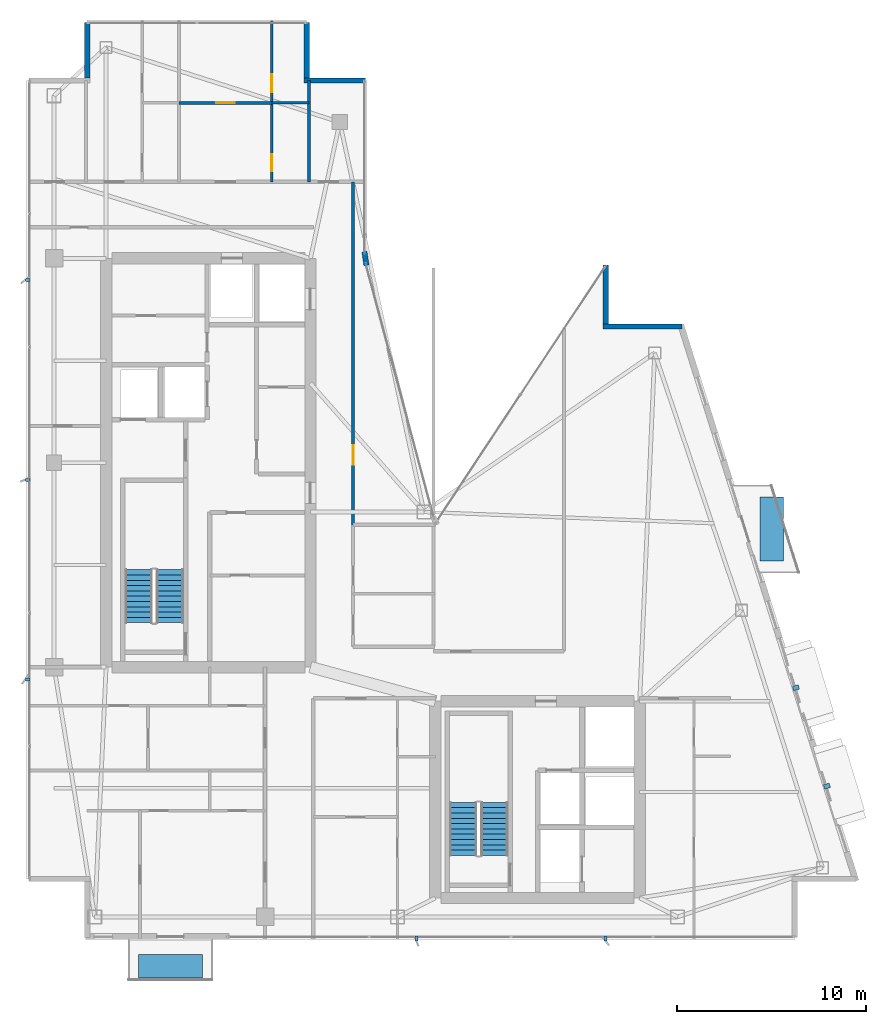
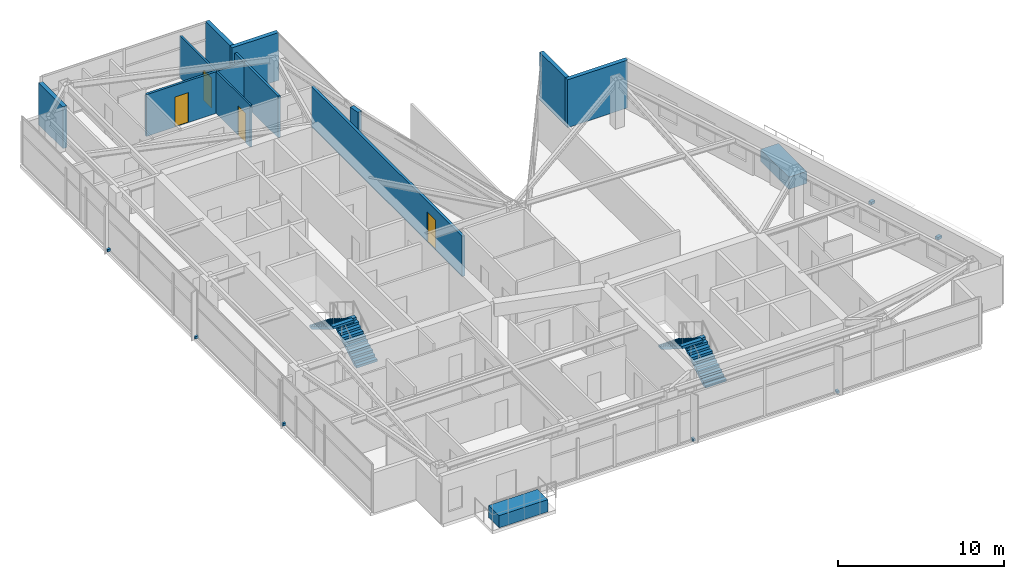
# One storey, part 25 of 27: 11 walls, 9 discrete accessories, 4 doors, 4 stair flights, 4 openings, 2 elements without a shape of their own.
"""IFC4 building model written with IfcOpenShell, lengths in metres."""

from ifc_helpers import new_model, si_unit, direction, frame, frame_2d, origin, origin_2d, place, context, subcontext, project, spatial, polyline, rectangle, outline, extrude, material, layer, layer_set, type_object, element, fill, aggregate, save


model = new_model("IFC4")

# Units and contexts
model_context = context("Model", 3, precision=1e-05, world=origin(), true_north=direction((0.0, 1.0)))
body_context = subcontext(model_context, "Body", "Model", "MODEL_VIEW")
ifc_project = project(units=[si_unit("LENGTHUNIT", "METRE"), si_unit("AREAUNIT", "SQUARE_METRE"), si_unit("VOLUMEUNIT", "CUBIC_METRE"), si_unit("PLANEANGLEUNIT", "RADIAN"), si_unit("MASSUNIT", "GRAM", prefix="KILO")], contexts=[model_context])

# Site, building, storey
site_placement = place(None, origin())
site = spatial("IfcSite", under=ifc_project, at=site_placement, CompositionType="ELEMENT")
building_placement = place(site_placement, origin())
building = spatial("IfcBuilding", under=site, at=building_placement, Name="Calvorn Quay Hotel", CompositionType="ELEMENT")
storey_placement = place(building_placement, frame((0.0, 0.0, 278.699951171875)))
storey = spatial("IfcBuildingStorey", under=building, at=storey_placement, Name="L69", CompositionType="ELEMENT", Elevation=278.699951171875)

# Wall, opening, door
ifc_material_1 = material(Name="Acoustic Fireboard Steel-Stud Partition", Category="steel")
ifc_layer_1 = layer(ifc_material_1, 0.179931640625)
ifc_layer_set_1 = layer_set([ifc_layer_1], Name="WL-CORR-FIRE-180")
wall_type_1 = type_object("IfcWallType", Name="WL-CORR-FIRE-180", PredefinedType="PARTITIONING", material=ifc_layer_set_1)
wall_1_placement = place(storey_placement, frame((17.25, 24.300048828125, 0.0), z_axis=(0.0, 0.0, 1.0), x_axis=(0.0, 1.0, 0.0)))
wall_1 = element("IfcWall", 1, at=wall_1_placement, inside=storey, type_object=wall_type_1, Name="Partition Wall L69-WL-NW-CLOSURE-E", PredefinedType="PARTITIONING", context=body_context, shape_type="SweptSolid", body=[
    extrude(rectangle(XDim=18.14990234375, YDim=0.179931640625, at=frame_2d((9.074951171875, 0.0))), origin(), (0.0, 0.0, 1.0), 2.969970703125),
])
opening_1_placement = place(wall_1_placement, frame((3.199951171875, 0.0, 0.0)))
opening_1 = element("IfcOpeningElement", 2, at=opening_1_placement, cuts=wall_1, Name="Opening D-L69-NCU", PredefinedType="OPENING", context=body_context, shape_type="SweptSolid", body=[
    extrude(rectangle(XDim=1.02001953125, YDim=2.199951171875, at=frame_2d((0.510009765625, 1.10009765625))), frame((0.0, 0.099853515625, 0.0), z_axis=(0.0, -1.0, 0.0), x_axis=(1.0, 0.0, 0.0)), (0.0, 0.0, 1.0), 0.199951171875),
])
ifc_material_2 = material(Name="Solid-Core Walnut Veneer Hotel Fire Door")
door_type_1 = type_object("IfcDoorType", Name="DR-GUEST-ENTRY-1020", OperationType="NOTDEFINED", PredefinedType="DOOR", material=ifc_material_2)
door_1_placement = place(opening_1_placement, origin())
door_1 = element("IfcDoor", 3, at=door_1_placement, inside=storey, type_object=door_type_1, Name="Inner Court Horizon Study Door (L69)", OperationType="SINGLE_SWING_RIGHT", OverallHeight=2.199951171875, OverallWidth=1.02001953125, PredefinedType="DOOR", context=body_context, shape_type="SweptSolid", body=[
    extrude(rectangle(XDim=1.02001953125, YDim=2.199951171875, at=frame_2d((0.510009765625, 1.10009765625))), frame((0.0, 0.02490234375, 0.0), z_axis=(0.0, -1.0, 0.0), x_axis=(1.0, 0.0, 0.0)), (0.0, 0.0, 1.0), 0.050048828125),
])
fill(opening_1, door_1)

# Wall
ifc_material_3 = material(Name="Moisture-Resistant Tile-Backed Partition")
ifc_layer_2 = layer(ifc_material_3, 0.125)
ifc_layer_set_2 = layer_set([ifc_layer_2], Name="WL-ENSUITE-125")
wall_type_2 = type_object("IfcWallType", Name="WL-ENSUITE-125", PredefinedType="PARTITIONING", material=ifc_layer_set_2)
wall_2_placement = place(storey_placement, frame((12.9599609375, 46.6201171875, 0.0), z_axis=(0.0, 0.0, 1.0), x_axis=(1.0, 0.0, 0.0)))
element("IfcWall", 4, at=wall_2_placement, inside=storey, type_object=wall_type_2, Name="Partition Wall L69-WL-U05-BDV", PredefinedType="PARTITIONING", context=body_context, shape_type="SweptSolid", body=[
    extrude(rectangle(XDim=1.9599609375, YDim=0.125, at=frame_2d((0.97998046875, 0.0))), origin(), (0.0, 0.0, 1.0), 3.070068359375),
])

# Wall, openings, doors
wall_3_placement = place(storey_placement, frame((12.9599609375, 42.449951171875, 0.0), z_axis=(0.0, 0.0, 1.0), x_axis=(0.0, 1.0, 0.0)))
wall_3 = element("IfcWall", 5, at=wall_3_placement, inside=storey, type_object=wall_type_2, Name="Partition Wall L69-WL-U05-BV", PredefinedType="PARTITIONING", context=body_context, shape_type="SweptSolid", body=[
    extrude(rectangle(XDim=8.489990234375, YDim=0.125, at=frame_2d((4.2451171875, 0.0))), origin(), (0.0, 0.0, 1.0), 3.070068359375),
])
opening_2_placement = place(wall_3_placement, frame((0.550048828125, 0.0, 0.0)))
opening_2 = element("IfcOpeningElement", 6, at=opening_2_placement, cuts=wall_3, Name="Opening D-L69-E05", PredefinedType="OPENING", context=body_context, shape_type="SweptSolid", body=[
    extrude(rectangle(XDim=0.89990234375, YDim=2.14990234375, at=frame_2d((0.449951171875, 1.074951171875))), frame((0.0, 0.072509765625, 0.0), z_axis=(0.0, -1.0, 0.0), x_axis=(1.0, 0.0, 0.0)), (0.0, 0.0, 1.0), 0.14501953125),
])
opening_3_placement = place(wall_3_placement, frame((4.719970703125, 0.0, 0.0)))
opening_3 = element("IfcOpeningElement", 7, at=opening_3_placement, cuts=wall_3, Name="Opening D-L69-S05", PredefinedType="OPENING", context=body_context, shape_type="SweptSolid", body=[
    extrude(rectangle(XDim=0.9599609375, YDim=2.199951171875, at=frame_2d((0.47998046875, 1.10009765625))), frame((0.0, 0.072509765625, 0.0), z_axis=(0.0, -1.0, 0.0), x_axis=(1.0, 0.0, 0.0)), (0.0, 0.0, 1.0), 0.14501953125),
])
ifc_material_4 = material(Name="Moisture-Sealed Timber En-Suite Door", Category="wood")
door_type_2 = type_object("IfcDoorType", Name="DR-ENSUITE-900", OperationType="NOTDEFINED", PredefinedType="DOOR", material=ifc_material_4)
door_2_placement = place(opening_2_placement, origin())
door_2 = element("IfcDoor", 8, at=door_2_placement, inside=storey, type_object=door_type_2, Name="En-Suite Door 05", OperationType="SINGLE_SWING_LEFT", OverallHeight=2.14990234375, OverallWidth=0.89990234375, PredefinedType="DOOR", context=body_context, shape_type="SweptSolid", body=[
    extrude(rectangle(XDim=0.89990234375, YDim=2.14990234375, at=frame_2d((0.449951171875, 1.074951171875))), frame((0.0, 0.02490234375, 0.0), z_axis=(0.0, -1.0, 0.0), x_axis=(1.0, 0.0, 0.0)), (0.0, 0.0, 1.0), 0.050048828125),
])
fill(opening_2, door_2)
ifc_material_5 = material(Name="Solid Timber Internal Suite Door", Category="wood")
door_type_3 = type_object("IfcDoorType", Name="DR-SUITE-INT-960", OperationType="NOTDEFINED", PredefinedType="DOOR", material=ifc_material_5)
door_3_placement = place(opening_3_placement, origin())
door_3 = element("IfcDoor", 9, at=door_3_placement, inside=storey, type_object=door_type_3, Name="Harbour Tea Room Door 05", OperationType="SINGLE_SWING_RIGHT", OverallHeight=2.199951171875, OverallWidth=0.9599609375, PredefinedType="DOOR", context=body_context, shape_type="SweptSolid", body=[
    extrude(rectangle(XDim=0.9599609375, YDim=2.199951171875, at=frame_2d((0.47998046875, 1.10009765625))), frame((0.0, 0.02490234375, 0.0), z_axis=(0.0, -1.0, 0.0), x_axis=(1.0, 0.0, 0.0)), (0.0, 0.0, 1.0), 0.050048828125),
])
fill(opening_3, door_3)

# Walls
ifc_material_6 = material(Name="Concrete C40", Category="concrete")
ifc_layer_3 = layer(ifc_material_6, 0.320068359375)
ifc_layer_set_3 = layer_set([ifc_layer_3], Name="WL-EXT-SPANDREL-320")
wall_type_3 = type_object("IfcWallType", Name="WL-EXT-SPANDREL-320", PredefinedType="SOLIDWALL", material=ifc_layer_set_3)
wall_4_placement = place(storey_placement, frame((17.9619140625, 38.030029296875, 0.0), z_axis=(0.0, 0.0, 1.0), x_axis=(-0.15141125477, 0.988470855377, 0.0)))
element("IfcWall", 10, at=wall_4_placement, inside=storey, type_object=wall_type_3, Name="Inner Court Corner Pier L69-ICJ2", PredefinedType="SOLIDWALL", context=body_context, shape_type="SweptSolid", body=[
    extrude(rectangle(XDim=0.738525390625, YDim=0.280029296875, at=frame_2d((0.369140625, 0.0))), origin(), (0.0, 0.0, 1.0), 3.52001953125),
])
wall_5_placement = place(storey_placement, frame((34.639892578125, 34.800048828125, 0.0), z_axis=(0.0, 0.0, 1.0), x_axis=(-1.0, 0.0, 0.0)))
element("IfcWall", 11, at=wall_5_placement, inside=storey, type_object=wall_type_3, Name="Notched Corner Spandrel L69-NE1", PredefinedType="SOLIDWALL", context=body_context, shape_type="SweptSolid", body=[
    extrude(rectangle(XDim=4.179931640625, YDim=0.280029296875, at=frame_2d((2.08984375, 0.0))), origin(), (0.0, 0.0, 1.0), 3.52001953125),
])
wall_6_placement = place(storey_placement, frame((30.60009765625, 34.93994140625, 0.0), z_axis=(0.0, 0.0, 1.0), x_axis=(0.0, 1.0, 0.0)))
element("IfcWall", 12, at=wall_6_placement, inside=storey, type_object=wall_type_3, Name="Notched Corner Spandrel L69-NE2", PredefinedType="SOLIDWALL", context=body_context, shape_type="SweptSolid", body=[
    extrude(rectangle(XDim=3.10009765625, YDim=0.280029296875, at=frame_2d((1.550048828125, 0.0))), origin(), (0.0, 0.0, 1.0), 3.52001953125),
])
wall_7_placement = place(storey_placement, frame((17.89990234375, 47.800048828125, 0.0), z_axis=(0.0, 0.0, 1.0), x_axis=(-1.0, 0.0, 0.0)))
element("IfcWall", 13, at=wall_7_placement, inside=storey, type_object=wall_type_3, Name="Notched Corner Spandrel L69-NWE1", PredefinedType="SOLIDWALL", context=body_context, shape_type="SweptSolid", body=[
    extrude(rectangle(XDim=3.239990234375, YDim=0.280029296875, at=frame_2d((1.6201171875, 0.0))), origin(), (0.0, 0.0, 1.0), 3.52001953125),
])
wall_8_placement = place(storey_placement, frame((14.800048828125, 47.93994140625, 0.0), z_axis=(0.0, 0.0, 1.0), x_axis=(0.0, 1.0, 0.0)))
element("IfcWall", 14, at=wall_8_placement, inside=storey, type_object=wall_type_3, Name="Notched Corner Spandrel L69-NWE2", PredefinedType="SOLIDWALL", context=body_context, shape_type="SweptSolid", body=[
    extrude(rectangle(XDim=2.93994140625, YDim=0.280029296875, at=frame_2d((1.469970703125, 0.0))), origin(), (0.0, 0.0, 1.0), 3.52001953125),
])
wall_9_placement = place(storey_placement, frame((3.199951171875, 50.8798828125, 0.0), z_axis=(0.0, 0.0, 1.0), x_axis=(0.0, -1.0, 0.0)))
element("IfcWall", 15, at=wall_9_placement, inside=storey, type_object=wall_type_3, Name="Notched Corner Spandrel L69-NW1", PredefinedType="SOLIDWALL", context=body_context, shape_type="SweptSolid", body=[
    extrude(rectangle(XDim=2.93994140625, YDim=0.280029296875, at=frame_2d((1.469970703125, 0.0))), origin(), (0.0, 0.0, 1.0), 3.070068359375),
])
ifc_material_7 = material(Name="Double-Stud Acoustic Gypsum Partition")
ifc_layer_4 = layer(ifc_material_7, 0.159912109375)
ifc_layer_set_4 = layer_set([ifc_layer_4], Name="WL-INTERSUITE-160")
wall_type_4 = type_object("IfcWallType", Name="WL-INTERSUITE-160", PredefinedType="PARTITIONING", material=ifc_layer_set_4)
wall_10_placement = place(storey_placement, frame((14.919921875, 42.449951171875, 0.0), z_axis=(0.0, 0.0, 1.0), x_axis=(0.0, 1.0, 0.0)))
element("IfcWall", 16, at=wall_10_placement, inside=storey, type_object=wall_type_4, Name="Partition Wall L69-WL-NW-DIV-E0", PredefinedType="PARTITIONING", context=body_context, shape_type="SweptSolid", body=[
    extrude(rectangle(XDim=5.35009765625, YDim=0.159912109375, at=frame_2d((2.675048828125, 0.0))), origin(), (0.0, 0.0, 1.0), 3.070068359375),
])

# Wall, opening, door
wall_11_placement = place(storey_placement, frame((8.050048828125, 46.6201171875, 0.0), z_axis=(0.0, 0.0, 1.0), x_axis=(1.0, 0.0, 0.0)))
wall_11 = element("IfcWall", 17, at=wall_11_placement, inside=storey, type_object=wall_type_4, Name="Partition Wall L69-WL-U05-MSP", PredefinedType="PARTITIONING", context=body_context, shape_type="SweptSolid", body=[
    extrude(rectangle(XDim=4.909912109375, YDim=0.159912109375, at=frame_2d((2.455078125, 0.0))), origin(), (0.0, 0.0, 1.0), 3.070068359375),
])
opening_4_placement = place(wall_11_placement, frame((1.97998046875, 0.0, 0.0)))
opening_4 = element("IfcOpeningElement", 18, at=opening_4_placement, cuts=wall_11, Name="Opening D-L69-M05", PredefinedType="OPENING", context=body_context, shape_type="SweptSolid", body=[
    extrude(rectangle(XDim=0.9599609375, YDim=2.199951171875, at=frame_2d((0.47998046875, 1.10009765625))), frame((0.0, 0.08984375, 0.0), z_axis=(0.0, -1.0, 0.0), x_axis=(1.0, 0.0, 0.0)), (0.0, 0.0, 1.0), 0.179931640625),
])
door_4_placement = place(opening_4_placement, origin())
door_4 = element("IfcDoor", 19, at=door_4_placement, inside=storey, type_object=door_type_3, Name="Suite Bedroom Door 05", OperationType="SINGLE_SWING_LEFT", OverallHeight=2.199951171875, OverallWidth=0.9599609375, PredefinedType="DOOR", context=body_context, shape_type="SweptSolid", body=[
    extrude(rectangle(XDim=0.9599609375, YDim=2.199951171875, at=frame_2d((0.47998046875, 1.10009765625))), frame((0.0, 0.02490234375, 0.0), z_axis=(0.0, -1.0, 0.0), x_axis=(1.0, 0.0, 0.0)), (0.0, 0.0, 1.0), 0.050048828125),
])
fill(opening_4, door_4)

# Stair, stair flights
ifc_material_8 = material(Name="Concrete C40", Category="concrete")
stair_type = type_object("IfcStairType", Name="STR-CORE-DOGLEG", PredefinedType="HALF_TURN_STAIR", material=ifc_material_8)
stair_1_placement = place(storey_placement, origin())
stair_1 = element("IfcStair", 20, at=stair_1_placement, inside=storey, type_object=stair_type, Name="L69 ST-W", PredefinedType="HALF_TURN_STAIR")
ifc_material_9 = material(Name="Concrete C40", Category="concrete")
stair_flight_type = type_object("IfcStairFlightType", Name="FLT-CORE-1550", PredefinedType="STRAIGHT", material=ifc_material_9)
stair_flight_1_placement = place(storey_placement, frame((7.574951171875, 19.14990234375, 0.0), z_axis=(0.0, 0.0, 1.0), x_axis=(0.0, 1.0, 0.0)))
stair_flight_1 = element("IfcStairFlight", 21, at=stair_flight_1_placement, type_object=stair_flight_type, Name="ST-W flight 1", NumberOfRisers=11, NumberOfTreads=10, PredefinedType="STRAIGHT", RiserHeight=0.172727273, TreadLength=0.28, context=body_context, shape_type="SweptSolid", body=[
    extrude(outline(polyline([(0.0, 0.0), (0.0, 0.172607421875), (0.280029296875, 0.172607421875), (0.280029296875, 0.345458984375), (0.56005859375, 0.345458984375), (0.56005859375, 0.51806640625), (0.840087890625, 0.51806640625), (0.840087890625, 0.69091796875), (1.1201171875, 0.69091796875), (1.1201171875, 0.863525390625), (1.39990234375, 0.863525390625), (1.39990234375, 1.036376953125), (1.679931640625, 1.036376953125), (1.679931640625, 1.208984375), (1.9599609375, 1.208984375), (1.9599609375, 1.3818359375), (2.239990234375, 1.3818359375), (2.239990234375, 1.554443359375), (2.52001953125, 1.554443359375), (2.52001953125, 1.727294921875), (2.800048828125, 1.727294921875), (2.800048828125, 1.89990234375), (2.800048828125, 1.551025390625), (0.285400390625, 0.0), (0.0, 0.0)])), frame((0.0, 0.72509765625, 0.0), z_axis=(0.0, -1.0, 0.0), x_axis=(1.0, 0.0, 0.0)), (0.0, 0.0, 1.0), 1.449951171875),
])
stair_flight_2_placement = place(storey_placement, frame((5.925048828125, 21.949951171875, 1.900146484375), z_axis=(0.0, 0.0, 1.0), x_axis=(0.0, -1.0, 0.0)))
stair_flight_2 = element("IfcStairFlight", 22, at=stair_flight_2_placement, type_object=stair_flight_type, Name="ST-W flight 2", NumberOfRisers=11, NumberOfTreads=10, PredefinedType="STRAIGHT", RiserHeight=0.172727273, TreadLength=0.28, context=body_context, shape_type="SweptSolid", body=[
    extrude(outline(polyline([(0.0, 0.0), (0.0, 0.172607421875), (0.280029296875, 0.172607421875), (0.280029296875, 0.345458984375), (0.56005859375, 0.345458984375), (0.56005859375, 0.51806640625), (0.840087890625, 0.51806640625), (0.840087890625, 0.69091796875), (1.1201171875, 0.69091796875), (1.1201171875, 0.863525390625), (1.39990234375, 0.863525390625), (1.39990234375, 1.036376953125), (1.679931640625, 1.036376953125), (1.679931640625, 1.208984375), (1.9599609375, 1.208984375), (1.9599609375, 1.3818359375), (2.239990234375, 1.3818359375), (2.239990234375, 1.554443359375), (2.52001953125, 1.554443359375), (2.52001953125, 1.727294921875), (2.800048828125, 1.727294921875), (2.800048828125, 1.89990234375), (2.800048828125, 1.551025390625), (0.285400390625, 0.0), (0.0, 0.0)])), frame((0.0, 0.72509765625, 0.0), z_axis=(0.0, -1.0, 0.0), x_axis=(1.0, 0.0, 0.0)), (0.0, 0.0, 1.0), 1.449951171875),
])
aggregate(stair_1, [stair_flight_1, stair_flight_2])

stair_2_placement = place(storey_placement, origin())
stair_2 = element("IfcStair", 23, at=stair_2_placement, inside=storey, type_object=stair_type, Name="L69 ST-E", PredefinedType="HALF_TURN_STAIR")
stair_flight_3_placement = place(storey_placement, frame((24.72509765625, 6.85009765625, 0.0), z_axis=(0.0, 0.0, 1.0), x_axis=(0.0, 1.0, 0.0)))
stair_flight_3 = element("IfcStairFlight", 24, at=stair_flight_3_placement, type_object=stair_flight_type, Name="ST-E flight 1", NumberOfRisers=11, NumberOfTreads=10, PredefinedType="STRAIGHT", RiserHeight=0.172727273, TreadLength=0.28, context=body_context, shape_type="SweptSolid", body=[
    extrude(outline(polyline([(0.0, 0.0), (0.0, 0.172607421875), (0.280029296875, 0.172607421875), (0.280029296875, 0.345458984375), (0.56005859375, 0.345458984375), (0.56005859375, 0.51806640625), (0.840087890625, 0.51806640625), (0.840087890625, 0.69091796875), (1.1201171875, 0.69091796875), (1.1201171875, 0.863525390625), (1.39990234375, 0.863525390625), (1.39990234375, 1.036376953125), (1.679931640625, 1.036376953125), (1.679931640625, 1.208984375), (1.9599609375, 1.208984375), (1.9599609375, 1.3818359375), (2.239990234375, 1.3818359375), (2.239990234375, 1.554443359375), (2.52001953125, 1.554443359375), (2.52001953125, 1.727294921875), (2.800048828125, 1.727294921875), (2.800048828125, 1.89990234375), (2.800048828125, 1.551025390625), (0.285400390625, 0.0), (0.0, 0.0)])), frame((0.0, 0.72509765625, 0.0), z_axis=(0.0, -1.0, 0.0), x_axis=(1.0, 0.0, 0.0)), (0.0, 0.0, 1.0), 1.449951171875),
])
stair_flight_4_placement = place(storey_placement, frame((23.074951171875, 9.64990234375, 1.900146484375), z_axis=(0.0, 0.0, 1.0), x_axis=(0.0, -1.0, 0.0)))
stair_flight_4 = element("IfcStairFlight", 25, at=stair_flight_4_placement, type_object=stair_flight_type, Name="ST-E flight 2", NumberOfRisers=11, NumberOfTreads=10, PredefinedType="STRAIGHT", RiserHeight=0.172727273, TreadLength=0.28, context=body_context, shape_type="SweptSolid", body=[
    extrude(outline(polyline([(0.0, 0.0), (0.0, 0.172607421875), (0.280029296875, 0.172607421875), (0.280029296875, 0.345458984375), (0.56005859375, 0.345458984375), (0.56005859375, 0.51806640625), (0.840087890625, 0.51806640625), (0.840087890625, 0.69091796875), (1.1201171875, 0.69091796875), (1.1201171875, 0.863525390625), (1.39990234375, 0.863525390625), (1.39990234375, 1.036376953125), (1.679931640625, 1.036376953125), (1.679931640625, 1.208984375), (1.9599609375, 1.208984375), (1.9599609375, 1.3818359375), (2.239990234375, 1.3818359375), (2.239990234375, 1.554443359375), (2.52001953125, 1.554443359375), (2.52001953125, 1.727294921875), (2.800048828125, 1.727294921875), (2.800048828125, 1.89990234375), (2.800048828125, 1.551025390625), (0.285400390625, 0.0), (0.0, 0.0)])), frame((0.0, 0.72509765625, 0.0), z_axis=(0.0, -1.0, 0.0), x_axis=(1.0, 0.0, 0.0)), (0.0, 0.0, 1.0), 1.449951171875),
])
aggregate(stair_2, [stair_flight_3, stair_flight_4])

# Discrete accessories
ifc_material_10 = material(Name="Steel Q355B", Category="steel")
discrete_accessory_type_1 = type_object("IfcDiscreteAccessoryType", Name="ACC-FIN-BRACKET", PredefinedType="BRACKET", material=ifc_material_10)
for number, where, z_axis, x_axis, name in (
    (26, (0.06005859375, 16.14990234375, 0.0302734375), (0.0, 0.0, 1.0), (1.0, 0.0, 0.0), "Fin Anchor Bracket L69-W01"),
    (27, (0.06005859375, 26.699951171875, 0.0302734375), (0.0, 0.0, 1.0), (1.0, 0.0, 0.0), "Fin Anchor Bracket L69-W02"),
    (28, (0.06005859375, 37.25, 0.0302734375), (0.0, 0.0, 1.0), (1.0, 0.0, 0.0), "Fin Anchor Bracket L69-W03"),
    (29, (20.60009765625, 2.4599609375, 0.0302734375), (0.0, 0.0, 1.0), (0.0, 1.0, 0.0), "Fin Anchor Bracket L69-S01"),
    (30, (30.60009765625, 2.4599609375, 0.0302734375), (0.0, 0.0, 1.0), (0.0, 1.0, 0.0), "Fin Anchor Bracket L69-S02"),
):
    element("IfcDiscreteAccessory", number, at=place(storey_placement, frame(where, z_axis=z_axis, x_axis=x_axis)), inside=storey, type_object=discrete_accessory_type_1, Name=name, PredefinedType="BRACKET", context=body_context, shape_type="SweptSolid", body=[
        extrude(rectangle(XDim=0.239990234375, YDim=0.159912109375, at=origin_2d()), origin(), (0.0, 0.0, 1.0), 0.179931640625),
    ])
for number, where, z_axis, x_axis, name in (
    (31, (42.294921875, 10.511962890625, 2.3701171875), (0.0, 0.0, 1.0), (0.957319497532, 0.289031796944, 0.0), "Bay Hood Support Bracket L69-HOOD-1"),
    (32, (40.656005859375, 15.7119140625, 2.3701171875), (0.0, 0.0, 1.0), (0.957319497532, 0.289031796944, 0.0), "Bay Hood Support Bracket L69-HOOD-2"),
):
    element("IfcDiscreteAccessory", number, at=place(storey_placement, frame(where, z_axis=z_axis, x_axis=x_axis)), inside=storey, type_object=discrete_accessory_type_1, Name=name, PredefinedType="BRACKET", context=body_context, shape_type="SweptSolid", body=[
        extrude(rectangle(XDim=0.320068359375, YDim=0.239990234375, at=origin_2d()), origin(), (0.0, 0.0, 1.0), 0.199951171875),
    ])
ifc_material_11 = material(Name="Precast concrete C40", Category="concrete")
discrete_accessory_type_2 = type_object("IfcDiscreteAccessoryType", Name="ACC-TREE-PLANTER", PredefinedType="USERDEFINED", material=ifc_material_11)
discrete_accessory_1_placement = place(storey_placement, frame((39.381103515625, 24.10009765625, 0.0), z_axis=(0.0, 0.0, 1.0), x_axis=(1.0, 0.0, 0.0)))
element("IfcDiscreteAccessory", 33, at=discrete_accessory_1_placement, inside=storey, type_object=discrete_accessory_type_2, Name="Subtropical Tree Structural Planter L69-BALC-E", ObjectType="PLANTER", PredefinedType="USERDEFINED", context=body_context, shape_type="SweptSolid", body=[
    extrude(rectangle(XDim=1.25, YDim=3.39990234375, at=origin_2d()), origin(), (0.0, 0.0, 1.0), 0.89990234375),
])
discrete_accessory_2_placement = place(storey_placement, frame((7.60009765625, 0.989990234375, 0.0), z_axis=(0.0, 0.0, 1.0), x_axis=(1.0, 0.0, 0.0)))
element("IfcDiscreteAccessory", 34, at=discrete_accessory_2_placement, inside=storey, type_object=discrete_accessory_type_2, Name="Subtropical Tree Structural Planter L69-BALC-S", ObjectType="PLANTER", PredefinedType="USERDEFINED", context=body_context, shape_type="SweptSolid", body=[
    extrude(rectangle(XDim=3.39990234375, YDim=1.25, at=origin_2d()), origin(), (0.0, 0.0, 1.0), 0.89990234375),
])

save(model, "model.ifc")
